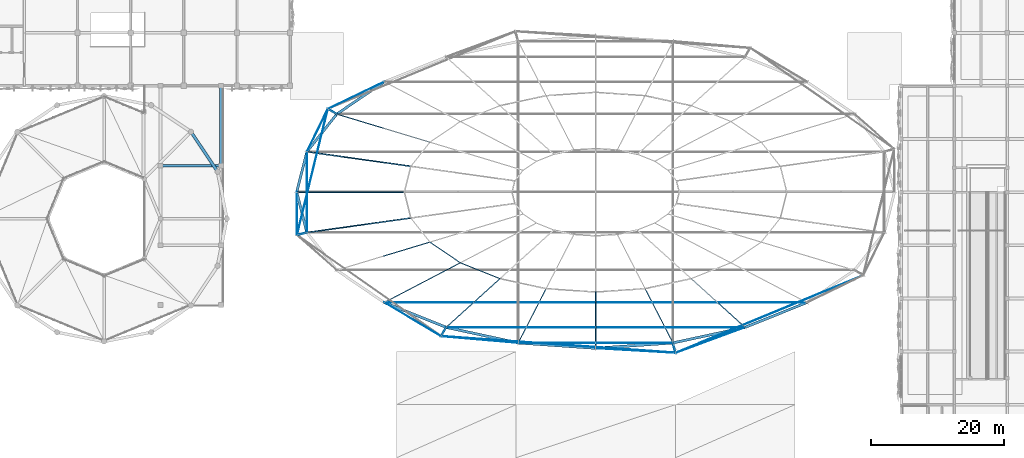
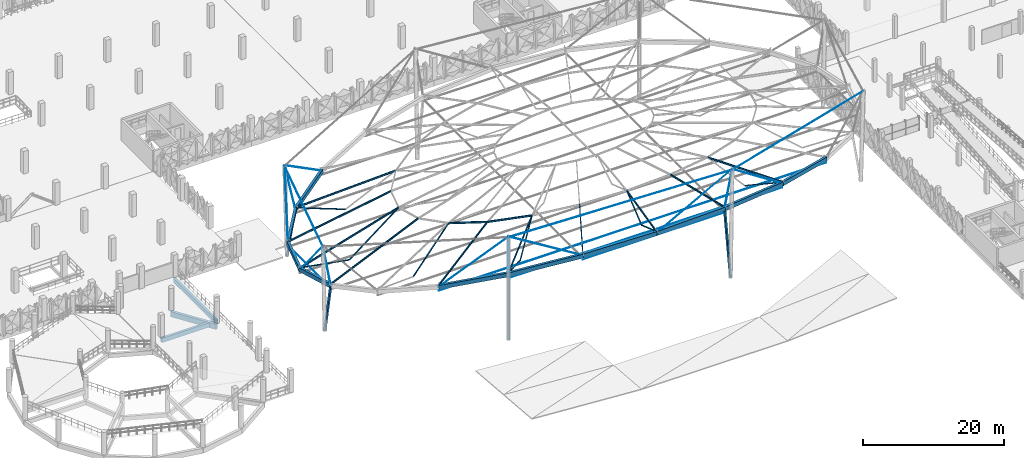
# One storey, part 11 of 96: 31 members, 25 beams.
"""IFC4 building model written with IfcOpenShell, lengths in metres."""

from ifc_helpers import new_model, si_unit, derived_unit, direction, frame, origin, origin_2d, place, context, subcontext, project, spatial, rectangle, hollow_rectangle, circle, i_section, extrude, material, material_profile, profile_set, type_object, element, save


model = new_model("IFC4")

# Units and contexts
model_context = context("Model", 3, precision=1e-05, world=origin(), true_north=direction((0.0, 1.0)))
body_context = subcontext(model_context, "Body", "Model", "MODEL_VIEW")
ifc_project = project(units=[si_unit("LENGTHUNIT", "METRE"), si_unit("AREAUNIT", "SQUARE_METRE"), si_unit("VOLUMEUNIT", "CUBIC_METRE"), si_unit("PLANEANGLEUNIT", "RADIAN"), si_unit("MASSUNIT", "GRAM", prefix="KILO"), si_unit("THERMODYNAMICTEMPERATUREUNIT", "KELVIN"), derived_unit("THERMALTRANSMITTANCEUNIT", [(si_unit("POWERUNIT", "WATT"), 1), (si_unit("AREAUNIT", "SQUARE_METRE"), -1), (si_unit("THERMODYNAMICTEMPERATUREUNIT", "KELVIN"), -1)])], contexts=[model_context])

# Site, building, storey
site_placement = place(None, origin())
site = spatial("IfcSite", under=ifc_project, at=site_placement, CompositionType="ELEMENT")
building_placement = place(site_placement, origin())
building = spatial("IfcBuilding", under=site, at=building_placement, Name="Haiyu Intermodal Mobility Hub", CompositionType="ELEMENT")
storey_placement = place(building_placement, frame((0.0, 0.0, 9.5)))
storey = spatial("IfcBuildingStorey", under=building, at=storey_placement, Name="L02", CompositionType="ELEMENT", Elevation=9.5)

# Beams
ifc_material_1 = material(Name="Concrete C40", Category="concrete")
ifc_material_profile_1 = material_profile(ifc_material_1, rectangle(XDim=0.39990234375, YDim=0.75, at=origin_2d()), Name="RCB400x750")
ifc_profile_set_1 = profile_set([ifc_material_profile_1], Name="Concrete C40")
beam_type_1 = type_object("IfcBeamType", Name="BM-CB03", PredefinedType="BEAM", material=ifc_profile_set_1)
beam_1_placement = place(storey_placement, frame((42.5, 68.0, -0.655029296875), z_axis=(1.0, 0.0, 0.0), x_axis=(0.0, 1.0, 0.0)))
element("IfcBeam", 1, at=beam_1_placement, inside=storey, type_object=beam_type_1, Name="BM-RMPL-L02-034", PredefinedType="BEAM", context=body_context, shape_type="SweptSolid", body=[
    extrude(rectangle(XDim=0.39990234375, YDim=0.75, at=origin_2d()), origin(), (0.0, 0.0, 1.0), 9.10009765625),
])
beam_2_placement = place(storey_placement, frame((51.60009765625, 68.0, -0.655029296875), z_axis=(0.0, 1.0, 0.0), x_axis=(-1.0, 0.0, 0.0)))
element("IfcBeam", 2, at=beam_2_placement, inside=storey, type_object=beam_type_1, Name="BM-RMPLE-L02-038", PredefinedType="BEAM", context=body_context, shape_type="SweptSolid", body=[
    extrude(rectangle(XDim=0.39990234375, YDim=0.75, at=origin_2d()), origin(), (0.0, 0.0, 1.0), 12.0),
])
ifc_material_profile_2 = material_profile(ifc_material_1, rectangle(XDim=0.449951171875, YDim=0.89990234375, at=origin_2d()), Name="RCB450x900")
ifc_profile_set_2 = profile_set([ifc_material_profile_2], Name="Concrete C40")
beam_type_2 = type_object("IfcBeamType", Name="BM-CB10", PredefinedType="BEAM", material=ifc_profile_set_2)
beam_3_placement = place(storey_placement, frame((51.092041015625, 67.080078125, -0.72998046875), z_axis=(-0.555691099877, 0.831388838942, 0.0), x_axis=(-0.831388838942, -0.555691099877, 0.0)))
element("IfcBeam", 3, at=beam_3_placement, inside=storey, type_object=beam_type_2, Name="BM-RMP-O-L02-002", PredefinedType="BEAM", context=body_context, shape_type="SweptSolid", body=[
    extrude(rectangle(XDim=0.449951171875, YDim=0.89990234375, at=origin_2d()), origin(), (0.0, 0.0, 1.0), 7.218017578125),
])
ifc_material_2 = material(Name="Steel Q355C", Category="steel")
ifc_material_profile_3 = material_profile(ifc_material_2, hollow_rectangle(XDim=0.39990234375, YDim=0.699951171875, WallThickness=0.02197265625, at=origin_2d()), Name="RHS700x400x22")
ifc_profile_set_3 = profile_set([ifc_material_profile_3], Name="Steel Q355C")
beam_type_3 = type_object("IfcBeamType", Name="BM-SB01", PredefinedType="BEAM", material=ifc_profile_set_3)
beam_4_placement = place(storey_placement, frame((76.179931640625, 80.616943359375, 9.300048828125), z_axis=(-0.818851357325, -0.557316552006, -0.137407115782), x_axis=(0.562653513917, -0.826692822805, 0.0)))
element("IfcBeam", 4, at=beam_4_placement, inside=storey, type_object=beam_type_3, Name="Compression Ring Chord RB-10", PredefinedType="BEAM", context=body_context, shape_type="SweptSolid", body=[
    extrude(hollow_rectangle(XDim=0.39990234375, YDim=0.699951171875, WallThickness=0.02197265625, at=origin_2d()), origin(), (0.0, 0.0, 1.0), 8.73291015625),
])
beam_5_placement = place(storey_placement, frame((69.029052734375, 75.75, 8.10009765625), z_axis=(-0.616934937857, -0.777734661017, -0.120499292543), x_axis=(0.783443288642, -0.621463284098, 0.0)))
element("IfcBeam", 5, at=beam_5_placement, inside=storey, type_object=beam_type_3, Name="Compression Ring Chord RB-11", PredefinedType="BEAM", context=body_context, shape_type="SweptSolid", body=[
    extrude(hollow_rectangle(XDim=0.39990234375, YDim=0.699951171875, WallThickness=0.02197265625, at=origin_2d()), origin(), (0.0, 0.0, 1.0), 7.287841796875),
])
for number, where, z_axis, x_axis, name in (
    (6, (64.532958984375, 70.08203125, 7.221923828125), (-0.244082052934, -0.968398168927, -0.051273168947), (0.969673613579, -0.244403525195, 0.0), "Compression Ring Chord RB-12"),
    (7, (63.0, 64.0, 6.89990234375), (0.244082052934, -0.968398168927, 0.051273168947), (0.969673613579, 0.244403525195, 0.0), "Compression Ring Chord RB-13"),
):
    element("IfcBeam", number, at=place(storey_placement, frame(where, z_axis=z_axis, x_axis=x_axis)), inside=storey, type_object=beam_type_3, Name=name, PredefinedType="BEAM", context=body_context, shape_type="SweptSolid", body=[
        extrude(hollow_rectangle(XDim=0.39990234375, YDim=0.699951171875, WallThickness=0.02197265625, at=origin_2d()), origin(), (0.0, 0.0, 1.0), 6.280517578125),
    ])
beam_6_placement = place(storey_placement, frame((76.179931640625, 47.383056640625, 9.300048828125), z_axis=(0.921674779261, -0.369370070672, 0.118664873348), x_axis=(0.371998477137, 0.928233339742, 0.0)))
element("IfcBeam", 8, at=beam_6_placement, inside=storey, type_object=beam_type_3, Name="Compression Ring Chord RB-16", PredefinedType="BEAM", context=body_context, shape_type="SweptSolid", body=[
    extrude(hollow_rectangle(XDim=0.39990234375, YDim=0.699951171875, WallThickness=0.02197265625, at=origin_2d()), origin(), (0.0, 0.0, 1.0), 10.112060546875),
])
beam_7_placement = place(storey_placement, frame((85.5, 43.64794921875, 10.5), z_axis=(0.974367369178, -0.210703053042, 0.07881911773), x_axis=(0.211360609854, 0.977408150468, 0.0)))
element("IfcBeam", 9, at=beam_7_placement, inside=storey, type_object=beam_type_3, Name="Compression Ring Chord RB-17", PredefinedType="BEAM", context=body_context, shape_type="SweptSolid", body=[
    extrude(hollow_rectangle(XDim=0.39990234375, YDim=0.699951171875, WallThickness=0.02197265625, at=origin_2d()), origin(), (0.0, 0.0, 1.0), 11.138427734375),
])
for number, where, z_axis, x_axis, name in (
    (10, (96.35302734375, 41.301025390625, 11.3779296875), (0.997264020391, -0.068587247954, 0.027572868044), (0.068613335005, 0.997643328179, 0.0), "Compression Ring Chord RB-18"),
    (11, (108.0, 40.5, 11.699951171875), (0.997264020391, 0.068587247954, -0.027572868044), (-0.068613335005, 0.997643328179, 0.0), "Compression Ring Chord RB-19"),
):
    element("IfcBeam", number, at=place(storey_placement, frame(where, z_axis=z_axis, x_axis=x_axis)), inside=storey, type_object=beam_type_3, Name=name, PredefinedType="BEAM", context=body_context, shape_type="SweptSolid", body=[
        extrude(hollow_rectangle(XDim=0.39990234375, YDim=0.699951171875, WallThickness=0.02197265625, at=origin_2d()), origin(), (0.0, 0.0, 1.0), 11.678955078125),
    ])
beam_8_placement = place(storey_placement, frame((119.64697265625, 41.301025390625, 11.3779296875), z_axis=(0.974367369178, 0.210703053042, -0.07881911773), x_axis=(-0.211360609854, 0.977408150468, 0.0)))
element("IfcBeam", 12, at=beam_8_placement, inside=storey, type_object=beam_type_3, Name="Compression Ring Chord RB-20", PredefinedType="BEAM", context=body_context, shape_type="SweptSolid", body=[
    extrude(hollow_rectangle(XDim=0.39990234375, YDim=0.699951171875, WallThickness=0.02197265625, at=origin_2d()), origin(), (0.0, 0.0, 1.0), 11.138427734375),
])
beam_9_placement = place(storey_placement, frame((130.5, 43.64794921875, 10.5), z_axis=(0.921674779261, 0.369370070672, -0.118664873348), x_axis=(-0.371998477137, 0.928233339742, 0.0)))
element("IfcBeam", 13, at=beam_9_placement, inside=storey, type_object=beam_type_3, Name="Compression Ring Chord RB-21", PredefinedType="BEAM", context=body_context, shape_type="SweptSolid", body=[
    extrude(hollow_rectangle(XDim=0.39990234375, YDim=0.699951171875, WallThickness=0.02197265625, at=origin_2d()), origin(), (0.0, 0.0, 1.0), 10.112060546875),
])
ifc_material_profile_4 = material_profile(ifc_material_2, i_section(OverallWidth=0.14990234375, OverallDepth=0.300048828125, WebThickness=0.006591796875, FlangeThickness=0.009033203125, FilletRadius=0.012939453125, at=origin_2d()), Name="HN300x150x6.5x9")
ifc_profile_set_4 = profile_set([ifc_material_profile_4], Name="Steel Q355C")
beam_type_4 = type_object("IfcBeamType", Name="BM-SB10-INT", PredefinedType="JOIST", material=ifc_profile_set_4)
beam_10_placement = place(storey_placement, frame((83.05810546875, 56.47998046875, 12.43798828125), z_axis=(0.823455633588, -0.560434759105, 0.088508193401), x_axis=(0.562642879895, 0.826700060302, 0.0)))
element("IfcBeam", 14, at=beam_10_placement, inside=storey, type_object=beam_type_4, Name="BM-SADHP-039", PredefinedType="JOIST", context=body_context, shape_type="SweptSolid", body=[
    extrude(i_section(OverallWidth=0.14990234375, OverallDepth=0.300048828125, WebThickness=0.006591796875, FlangeThickness=0.009033203125, FilletRadius=0.012939453125, at=origin_2d()), origin(), (0.0, 0.0, 1.0), 5.55810546875),
])
beam_11_placement = place(storey_placement, frame((87.635009765625, 53.364990234375, 12.929931640625), z_axis=(0.925572021467, -0.370827344908, 0.07618079381), x_axis=(0.371908102054, 0.928269553323, 0.0)))
element("IfcBeam", 15, at=beam_11_placement, inside=storey, type_object=beam_type_4, Name="BM-SADHP-040", PredefinedType="JOIST", context=body_context, shape_type="SweptSolid", body=[
    extrude(i_section(OverallWidth=0.14990234375, OverallDepth=0.300048828125, WebThickness=0.006591796875, FlangeThickness=0.009033203125, FilletRadius=0.012939453125, at=origin_2d()), origin(), (0.0, 0.0, 1.0), 6.44482421875),
])
beam_12_placement = place(storey_placement, frame((69.029052734375, 75.75, 8.337890625), z_axis=(0.921963147491, -0.277986417233, 0.269643294933), x_axis=(0.28867900796, 0.957425939884, 0.0)))
element("IfcBeam", 16, at=beam_12_placement, inside=storey, type_object=beam_type_4, Name="BM-SADRAD-069", PredefinedType="JOIST", context=body_context, shape_type="SweptSolid", body=[
    extrude(i_section(OverallWidth=0.14990234375, OverallDepth=0.300048828125, WebThickness=0.006591796875, FlangeThickness=0.009033203125, FilletRadius=0.012939453125, at=origin_2d()), origin(), (0.0, 0.0, 1.0), 15.216552734375),
])
beam_13_placement = place(storey_placement, frame((64.532958984375, 70.08203125, 7.458984375), z_axis=(0.950521693383, -0.132966853416, 0.280763826554), x_axis=(0.13853933675, 0.990356931703, 0.0)))
element("IfcBeam", 17, at=beam_13_placement, inside=storey, type_object=beam_type_4, Name="BM-SADRAD-071", PredefinedType="JOIST", context=body_context, shape_type="SweptSolid", body=[
    extrude(i_section(OverallWidth=0.14990234375, OverallDepth=0.300048828125, WebThickness=0.006591796875, FlangeThickness=0.009033203125, FilletRadius=0.012939453125, at=origin_2d()), origin(), (0.0, 0.0, 1.0), 16.46240234375),
])
beam_14_placement = place(storey_placement, frame((63.0, 64.0, 7.137939453125), z_axis=(0.958604053701, 0.0, 0.284742459475), x_axis=(0.0, 1.0, 0.0)))
element("IfcBeam", 18, at=beam_14_placement, inside=storey, type_object=beam_type_4, Name="BM-SADRAD-073", PredefinedType="JOIST", context=body_context, shape_type="SweptSolid", body=[
    extrude(i_section(OverallWidth=0.14990234375, OverallDepth=0.300048828125, WebThickness=0.006591796875, FlangeThickness=0.009033203125, FilletRadius=0.012939453125, at=origin_2d()), origin(), (0.0, 0.0, 1.0), 16.8994140625),
])
beam_15_placement = place(storey_placement, frame((64.532958984375, 57.91796875, 7.458984375), z_axis=(0.950521693383, 0.132966853416, 0.280763826554), x_axis=(-0.13853933675, 0.990356931703, 0.0)))
element("IfcBeam", 19, at=beam_15_placement, inside=storey, type_object=beam_type_4, Name="BM-SADRAD-075", PredefinedType="JOIST", context=body_context, shape_type="SweptSolid", body=[
    extrude(i_section(OverallWidth=0.14990234375, OverallDepth=0.300048828125, WebThickness=0.006591796875, FlangeThickness=0.009033203125, FilletRadius=0.012939453125, at=origin_2d()), origin(), (0.0, 0.0, 1.0), 16.46240234375),
])
beam_16_placement = place(storey_placement, frame((76.179931640625, 47.383056640625, 9.5380859375), z_axis=(0.857322605249, 0.447700734736, 0.254090540251), x_axis=(-0.462892669967, 0.886414336578, 0.0)))
element("IfcBeam", 20, at=beam_16_placement, inside=storey, type_object=beam_type_4, Name="BM-SADRAD-079", PredefinedType="JOIST", context=body_context, shape_type="SweptSolid", body=[
    extrude(i_section(OverallWidth=0.14990234375, OverallDepth=0.300048828125, WebThickness=0.006591796875, FlangeThickness=0.009033203125, FilletRadius=0.012939453125, at=origin_2d()), origin(), (0.0, 0.0, 1.0), 13.361572265625),
])
beam_17_placement = place(storey_placement, frame((85.5, 43.64794921875, 10.738037109375), z_axis=(0.720148182676, 0.651428273509, 0.238804940195), x_axis=(-0.67083723343, 0.741604615846, 0.0)))
element("IfcBeam", 21, at=beam_17_placement, inside=storey, type_object=beam_type_4, Name="BM-SADRAD-081", PredefinedType="JOIST", context=body_context, shape_type="SweptSolid", body=[
    extrude(i_section(OverallWidth=0.14990234375, OverallDepth=0.300048828125, WebThickness=0.006591796875, FlangeThickness=0.009033203125, FilletRadius=0.012939453125, at=origin_2d()), origin(), (0.0, 0.0, 1.0), 11.247802734375),
])
beam_18_placement = place(storey_placement, frame((96.35302734375, 41.301025390625, 11.616943359375), z_axis=(0.44434459281, 0.865920858983, 0.229649621858), x_axis=(-0.889699529846, 0.45654654373, 0.0)))
element("IfcBeam", 22, at=beam_18_placement, inside=storey, type_object=beam_type_4, Name="BM-SADRAD-083", PredefinedType="JOIST", context=body_context, shape_type="SweptSolid", body=[
    extrude(i_section(OverallWidth=0.14990234375, OverallDepth=0.300048828125, WebThickness=0.006591796875, FlangeThickness=0.009033203125, FilletRadius=0.012939453125, at=origin_2d()), origin(), (0.0, 0.0, 1.0), 9.43603515625),
])
beam_19_placement = place(storey_placement, frame((108.0, 40.5, 11.93798828125), z_axis=(0.0, 0.973738301939, 0.227670198612), x_axis=(-1.0, 0.0, 0.0)))
element("IfcBeam", 23, at=beam_19_placement, inside=storey, type_object=beam_type_4, Name="BM-SADRAD-085", PredefinedType="JOIST", context=body_context, shape_type="SweptSolid", body=[
    extrude(i_section(OverallWidth=0.14990234375, OverallDepth=0.300048828125, WebThickness=0.006591796875, FlangeThickness=0.009033203125, FilletRadius=0.012939453125, at=origin_2d()), origin(), (0.0, 0.0, 1.0), 8.688232421875),
])
beam_20_placement = place(storey_placement, frame((119.64697265625, 41.301025390625, 11.616943359375), z_axis=(-0.44434459281, 0.865920858983, 0.229649621858), x_axis=(-0.889699529846, -0.45654654373, 0.0)))
element("IfcBeam", 24, at=beam_20_placement, inside=storey, type_object=beam_type_4, Name="BM-SADRAD-087", PredefinedType="JOIST", context=body_context, shape_type="SweptSolid", body=[
    extrude(i_section(OverallWidth=0.14990234375, OverallDepth=0.300048828125, WebThickness=0.006591796875, FlangeThickness=0.009033203125, FilletRadius=0.012939453125, at=origin_2d()), origin(), (0.0, 0.0, 1.0), 9.43603515625),
])
beam_21_placement = place(storey_placement, frame((130.5, 43.64794921875, 10.738037109375), z_axis=(-0.720148182676, 0.651428273509, 0.238804940195), x_axis=(-0.67083723343, -0.741604615846, 0.0)))
element("IfcBeam", 25, at=beam_21_placement, inside=storey, type_object=beam_type_4, Name="BM-SADRAD-089", PredefinedType="JOIST", context=body_context, shape_type="SweptSolid", body=[
    extrude(i_section(OverallWidth=0.14990234375, OverallDepth=0.300048828125, WebThickness=0.006591796875, FlangeThickness=0.009033203125, FilletRadius=0.012939453125, at=origin_2d()), origin(), (0.0, 0.0, 1.0), 11.247802734375),
])

# Members
ifc_material_profile_5 = material_profile(ifc_material_2, hollow_rectangle(XDim=0.300048828125, YDim=0.300048828125, WallThickness=0.011962890625, at=origin_2d()), Name="SHS300x300x12")
ifc_profile_set_5 = profile_set([ifc_material_profile_5], Name="Steel Q355C")
member_type_1 = type_object("IfcMemberType", Name="MEM-BR04", PredefinedType="BRACE", material=ifc_profile_set_5)
member_1_placement = place(storey_placement, frame((67.989990234375, 76.35009765625, 0.0), z_axis=(0.126893070918, -0.073285518872, 0.98920542926), x_axis=(0.50012165622, 0.865955154139, 0.0)))
element("IfcMember", 26, at=member_1_placement, inside=storey, type_object=member_type_1, Name="Mast Ring Strut MS-04", PredefinedType="BRACE", context=body_context, shape_type="SweptSolid", body=[
    extrude(hollow_rectangle(XDim=0.300048828125, YDim=0.300048828125, WallThickness=0.011962890625, at=origin_2d()), origin(), (0.0, 0.0, 1.0), 8.1884765625),
])
member_2_placement = place(storey_placement, frame((63.3740234375, 57.60693359375, 0.0), z_axis=(0.158304353516, 0.042485727065, 0.986475896641), x_axis=(-0.259207261783, 0.965821720318, 0.0)))
element("IfcMember", 27, at=member_2_placement, inside=storey, type_object=member_type_1, Name="Mast Ring Strut MS-05", PredefinedType="BRACE", context=body_context, shape_type="SweptSolid", body=[
    extrude(hollow_rectangle(XDim=0.300048828125, YDim=0.300048828125, WallThickness=0.011962890625, at=origin_2d()), origin(), (0.0, 0.0, 1.0), 7.321044921875),
])
member_3_placement = place(storey_placement, frame((84.89990234375, 42.60888671875, 0.0), z_axis=(0.05678259498, 0.098318439477, 0.993533704192), x_axis=(-0.865955154139, 0.50012165622, 0.0)))
element("IfcMember", 28, at=member_3_placement, inside=storey, type_object=member_type_1, Name="Mast Ring Strut MS-06", PredefinedType="BRACE", context=body_context, shape_type="SweptSolid", body=[
    extrude(hollow_rectangle(XDim=0.300048828125, YDim=0.300048828125, WallThickness=0.011962890625, at=origin_2d()), origin(), (0.0, 0.0, 1.0), 10.568359375),
])
member_4_placement = place(storey_placement, frame((119.95703125, 40.14208984375, 0.0), z_axis=(-0.027100647651, 0.101296672754, 0.994487073313), x_axis=(-0.966025207369, -0.258447864622, 0.0)))
element("IfcMember", 29, at=member_4_placement, inside=storey, type_object=member_type_1, Name="Mast Ring Strut MS-07", PredefinedType="BRACE", context=body_context, shape_type="SweptSolid", body=[
    extrude(hollow_rectangle(XDim=0.300048828125, YDim=0.300048828125, WallThickness=0.011962890625, at=origin_2d()), origin(), (0.0, 0.0, 1.0), 11.44091796875),
])
ifc_material_profile_6 = material_profile(ifc_material_2, hollow_rectangle(XDim=0.159912109375, YDim=0.159912109375, WallThickness=0.006103515625, at=origin_2d()), Name="SHS160x160x6")
ifc_profile_set_6 = profile_set([ifc_material_profile_6], Name="Steel Q355C")
member_type_2 = type_object("IfcMemberType", Name="MEM-CH03", PredefinedType="CHORD", material=ifc_profile_set_6)
member_5_placement = place(storey_placement, frame((69.029052734375, 75.75, 8.337890625), z_axis=(0.93921536077, -0.283173447616, -0.194132183469), x_axis=(0.288665193348, 0.957430105099, 0.0)))
element("IfcMember", 30, at=member_5_placement, inside=storey, type_object=member_type_2, Name="MEM-SADD1-069", PredefinedType="CHORD", context=body_context, shape_type="SweptSolid", body=[
    extrude(hollow_rectangle(XDim=0.159912109375, YDim=0.159912109375, WallThickness=0.006103515625, at=origin_2d()), origin(), (0.0, 0.0, 1.0), 7.468994140625),
])
member_6_placement = place(storey_placement, frame((63.0, 64.0, 7.137939453125), z_axis=(0.984353775203, 0.0, -0.176203420065), x_axis=(0.0, 1.0, 0.0)))
element("IfcMember", 31, at=member_6_placement, inside=storey, type_object=member_type_2, Name="MEM-SADD1-073", PredefinedType="CHORD", context=body_context, shape_type="SweptSolid", body=[
    extrude(hollow_rectangle(XDim=0.159912109375, YDim=0.159912109375, WallThickness=0.006103515625, at=origin_2d()), origin(), (0.0, 0.0, 1.0), 8.228759765625),
])
member_7_placement = place(storey_placement, frame((71.10009765625, 64.0, 5.68798828125), z_axis=(0.791143908572, 0.0, 0.611630048255), x_axis=(0.0, 1.0, 0.0)))
element("IfcMember", 32, at=member_7_placement, inside=storey, type_object=member_type_2, Name="MEM-SADD2-073", PredefinedType="CHORD", context=body_context, shape_type="SweptSolid", body=[
    extrude(hollow_rectangle(XDim=0.159912109375, YDim=0.159912109375, WallThickness=0.006103515625, at=origin_2d()), origin(), (0.0, 0.0, 1.0), 10.238037109375),
])
member_8_placement = place(storey_placement, frame((76.0439453125, 54.364990234375, 6.887939453125), z_axis=(0.763007540814, 0.230070808426, 0.604058702256), x_axis=(-0.288692823835, 0.957421774071, 0.0)))
element("IfcMember", 33, at=member_8_placement, inside=storey, type_object=member_type_2, Name="MEM-SADD2-077", PredefinedType="CHORD", context=body_context, shape_type="SweptSolid", body=[
    extrude(hollow_rectangle(XDim=0.159912109375, YDim=0.159912109375, WallThickness=0.006103515625, at=origin_2d()), origin(), (0.0, 0.0, 1.0), 9.19287109375),
])
member_9_placement = place(storey_placement, frame((85.5, 43.64794921875, 10.738037109375), z_axis=(0.716731786771, 0.648424296574, -0.256595941988), x_axis=(-0.670886402047, 0.741560136165, 0.0)))
element("IfcMember", 34, at=member_9_placement, inside=storey, type_object=member_type_2, Name="MEM-SADD1-081", PredefinedType="CHORD", context=body_context, shape_type="SweptSolid", body=[
    extrude(hollow_rectangle(XDim=0.159912109375, YDim=0.159912109375, WallThickness=0.006103515625, at=origin_2d()), origin(), (0.0, 0.0, 1.0), 5.650634765625),
])
member_10_placement = place(storey_placement, frame((89.550048828125, 47.31201171875, 9.2880859375), z_axis=(0.591216650187, 0.534728712967, 0.60376160533), x_axis=(-0.670788055966, 0.741649097602, 0.0)))
element("IfcMember", 35, at=member_10_placement, inside=storey, type_object=member_type_2, Name="MEM-SADD2-081", PredefinedType="CHORD", context=body_context, shape_type="SweptSolid", body=[
    extrude(hollow_rectangle(XDim=0.159912109375, YDim=0.159912109375, WallThickness=0.006103515625, at=origin_2d()), origin(), (0.0, 0.0, 1.0), 6.850341796875),
])
member_11_placement = place(storey_placement, frame((108.0, 40.5, 11.93798828125), z_axis=(0.0, 0.945968437013, -0.324258717963), x_axis=(-1.0, 0.0, 0.0)))
element("IfcMember", 36, at=member_11_placement, inside=storey, type_object=member_type_2, Name="MEM-SADD1-085", PredefinedType="CHORD", context=body_context, shape_type="SweptSolid", body=[
    extrude(hollow_rectangle(XDim=0.159912109375, YDim=0.159912109375, WallThickness=0.006103515625, at=origin_2d()), origin(), (0.0, 0.0, 1.0), 4.4716796875),
])
member_12_placement = place(storey_placement, frame((108.0, 44.72998046875, 10.488037109375), z_axis=(0.0, 0.776911649942, 0.629609631585), x_axis=(-1.0, 0.0, 0.0)))
element("IfcMember", 37, at=member_12_placement, inside=storey, type_object=member_type_2, Name="MEM-SADD2-085", PredefinedType="CHORD", context=body_context, shape_type="SweptSolid", body=[
    extrude(hollow_rectangle(XDim=0.159912109375, YDim=0.159912109375, WallThickness=0.006103515625, at=origin_2d()), origin(), (0.0, 0.0, 1.0), 5.444580078125),
])
member_13_placement = place(storey_placement, frame((130.5, 43.64794921875, 10.738037109375), z_axis=(-0.716731786771, 0.648424296574, -0.256595941988), x_axis=(-0.670886402047, -0.741560136165, 0.0)))
element("IfcMember", 38, at=member_13_placement, inside=storey, type_object=member_type_2, Name="MEM-SADD1-089", PredefinedType="CHORD", context=body_context, shape_type="SweptSolid", body=[
    extrude(hollow_rectangle(XDim=0.159912109375, YDim=0.159912109375, WallThickness=0.006103515625, at=origin_2d()), origin(), (0.0, 0.0, 1.0), 5.650634765625),
])
ifc_material_3 = material(Name="Galvanized steel cable 1670 MPa", Category="steel")
ifc_material_profile_7 = material_profile(ifc_material_3, circle(Radius=0.047607421875, at=origin_2d()), Name="CABLE95")
ifc_profile_set_7 = profile_set([ifc_material_profile_7], Name="Galvanized steel cable 1670 MPa")
member_type_3 = type_object("IfcMemberType", Name="MEM-TC01", PredefinedType="USERDEFINED", material=ifc_profile_set_7)
member_14_placement = place(storey_placement, frame((64.532958984375, 57.91796875, 6.741943359375), z_axis=(0.0, 1.0, 0.0), x_axis=(-1.0, 0.0, 0.0)))
element("IfcMember", 39, at=member_14_placement, inside=storey, type_object=member_type_3, Name="Cable-Net Tendon CB-NS-004", ObjectType="TENSION CABLE", PredefinedType="USERDEFINED", context=body_context, shape_type="SweptSolid", body=[
    extrude(circle(Radius=0.047607421875, at=origin_2d()), origin(), (0.0, 0.0, 1.0), 12.1640625),
])
ifc_material_profile_8 = material_profile(ifc_material_3, circle(Radius=0.0400390625, at=origin_2d()), Name="CABLE80")
ifc_profile_set_8 = profile_set([ifc_material_profile_8], Name="Galvanized steel cable 1670 MPa")
member_type_4 = type_object("IfcMemberType", Name="MEM-TC02", PredefinedType="USERDEFINED", material=ifc_profile_set_8)
member_15_placement = place(storey_placement, frame((76.179931640625, 47.383056640625, 8.6201171875), z_axis=(1.0, 0.0, 0.0), x_axis=(0.0, 1.0, 0.0)))
element("IfcMember", 40, at=member_15_placement, inside=storey, type_object=member_type_4, Name="Cable-Net Tendon CB-EW-012", ObjectType="TENSION CABLE", PredefinedType="USERDEFINED", context=body_context, shape_type="SweptSolid", body=[
    extrude(circle(Radius=0.0400390625, at=origin_2d()), origin(), (0.0, 0.0, 1.0), 63.64013671875),
])
member_16_placement = place(storey_placement, frame((85.5, 43.64794921875, 9.820068359375), z_axis=(1.0, 0.0, 0.0), x_axis=(0.0, 1.0, 0.0)))
element("IfcMember", 41, at=member_16_placement, inside=storey, type_object=member_type_4, Name="Cable-Net Tendon CB-EW-013", ObjectType="TENSION CABLE", PredefinedType="USERDEFINED", context=body_context, shape_type="SweptSolid", body=[
    extrude(circle(Radius=0.0400390625, at=origin_2d()), origin(), (0.0, 0.0, 1.0), 45.0),
])
member_17_placement = place(storey_placement, frame((96.35302734375, 41.301025390625, 10.697998046875), z_axis=(1.0, 0.0, 0.0), x_axis=(0.0, 1.0, 0.0)))
element("IfcMember", 42, at=member_17_placement, inside=storey, type_object=member_type_4, Name="Cable-Net Tendon CB-EW-014", ObjectType="TENSION CABLE", PredefinedType="USERDEFINED", context=body_context, shape_type="SweptSolid", body=[
    extrude(circle(Radius=0.0400390625, at=origin_2d()), origin(), (0.0, 0.0, 1.0), 23.2939453125),
])
ifc_material_profile_9 = material_profile(ifc_material_3, circle(Radius=0.032470703125, at=origin_2d()), Name="CABLE65")
ifc_profile_set_9 = profile_set([ifc_material_profile_9], Name="Galvanized steel cable 1670 MPa")
member_type_5 = type_object("IfcMemberType", Name="MEM-TC03", PredefinedType="USERDEFINED", material=ifc_profile_set_9)
member_18_placement = place(storey_placement, frame((67.68701171875, 76.52490234375, 15.699951171875), z_axis=(0.74535657048, 0.359126152811, -0.561668932031), x_axis=(-0.43406165409, 0.900883166925, 0.0)))
element("IfcMember", 43, at=member_18_placement, inside=storey, type_object=member_type_5, Name="Cable-Net Tendon CB-ST-028", ObjectType="TENSION CABLE", PredefinedType="USERDEFINED", context=body_context, shape_type="SweptSolid", body=[
    extrude(circle(Radius=0.032470703125, at=origin_2d()), origin(), (0.0, 0.0, 1.0), 11.39453125),
])
member_19_placement = place(storey_placement, frame((67.68701171875, 76.52490234375, 15.699951171875), z_axis=(0.173027178281, -0.099906906288, -0.979836826034), x_axis=(0.500036104519, 0.866004557827, 0.0)))
element("IfcMember", 44, at=member_19_placement, inside=storey, type_object=member_type_5, Name="Cable-Net Tendon CB-ST-029", ObjectType="TENSION CABLE", PredefinedType="USERDEFINED", context=body_context, shape_type="SweptSolid", body=[
    extrude(circle(Radius=0.032470703125, at=origin_2d()), origin(), (0.0, 0.0, 1.0), 7.75634765625),
])
member_20_placement = place(storey_placement, frame((67.68701171875, 76.52490234375, 15.699951171875), z_axis=(-0.284004193413, -0.580143251349, -0.763397292396), x_axis=(0.898152958199, -0.43968314009, 0.0)))
element("IfcMember", 45, at=member_20_placement, inside=storey, type_object=member_type_5, Name="Cable-Net Tendon CB-ST-030", ObjectType="TENSION CABLE", PredefinedType="USERDEFINED", context=body_context, shape_type="SweptSolid", body=[
    extrude(circle(Radius=0.032470703125, at=origin_2d()), origin(), (0.0, 0.0, 1.0), 11.105712890625),
])
member_21_placement = place(storey_placement, frame((67.68701171875, 76.52490234375, 15.580078125), z_axis=(-0.237444067567, -0.970366139545, -0.044831573725), x_axis=(0.97134276686, -0.237683043715, 0.0)))
element("IfcMember", 46, at=member_21_placement, inside=storey, type_object=member_type_5, Name="Cable-Net Tendon CB-RG-031", ObjectType="TENSION CABLE", PredefinedType="USERDEFINED", context=body_context, shape_type="SweptSolid", body=[
    extrude(circle(Radius=0.032470703125, at=origin_2d()), origin(), (0.0, 0.0, 1.0), 19.58837890625),
])
member_22_placement = place(storey_placement, frame((63.035888671875, 57.51708984375, 14.822021484375), z_axis=(-0.003505893697, 0.633302729387, -0.773896221506), x_axis=(-0.999984677318, -0.005535804307, 0.0)))
element("IfcMember", 47, at=member_22_placement, inside=storey, type_object=member_type_5, Name="Cable-Net Tendon CB-ST-032", ObjectType="TENSION CABLE", PredefinedType="USERDEFINED", context=body_context, shape_type="SweptSolid", body=[
    extrude(circle(Radius=0.032470703125, at=origin_2d()), origin(), (0.0, 0.0, 1.0), 10.236572265625),
])
member_23_placement = place(storey_placement, frame((63.035888671875, 57.51708984375, 14.822021484375), z_axis=(0.193008299469, 0.05168291385, -0.979835023232), x_axis=(-0.258662592822, 0.965967733972, 0.0)))
element("IfcMember", 48, at=member_23_placement, inside=storey, type_object=member_type_5, Name="Cable-Net Tendon CB-ST-033", ObjectType="TENSION CABLE", PredefinedType="USERDEFINED", context=body_context, shape_type="SweptSolid", body=[
    extrude(circle(Radius=0.032470703125, at=origin_2d()), origin(), (0.0, 0.0, 1.0), 7.756591796875),
])
member_24_placement = place(storey_placement, frame((84.72509765625, 42.305908203125, 18.10009765625), z_axis=(-0.643680766324, 0.382445793448, -0.662880295482), x_axis=(-0.510795809936, -0.859702064992, 0.0)))
element("IfcMember", 49, at=member_24_placement, inside=storey, type_object=member_type_5, Name="Cable-Net Tendon CB-ST-036", ObjectType="TENSION CABLE", PredefinedType="USERDEFINED", context=body_context, shape_type="SweptSolid", body=[
    extrude(circle(Radius=0.032470703125, at=origin_2d()), origin(), (0.0, 0.0, 1.0), 13.275390625),
])
member_25_placement = place(storey_placement, frame((84.72509765625, 42.305908203125, 18.10009765625), z_axis=(0.099903825053, 0.17302184194, -0.979838082517), x_axis=(-0.866004557827, 0.500036104519, 0.0)))
element("IfcMember", 50, at=member_25_placement, inside=storey, type_object=member_type_5, Name="Cable-Net Tendon CB-ST-037", ObjectType="TENSION CABLE", PredefinedType="USERDEFINED", context=body_context, shape_type="SweptSolid", body=[
    extrude(circle(Radius=0.032470703125, at=origin_2d()), origin(), (0.0, 0.0, 1.0), 7.756591796875),
])
member_26_placement = place(storey_placement, frame((84.72509765625, 42.305908203125, 18.10009765625), z_axis=(0.863329293261, -0.074608704356, -0.499095254066), x_axis=(0.086098841978, 0.996286600035, 0.0)))
element("IfcMember", 51, at=member_26_placement, inside=storey, type_object=member_type_5, Name="Cable-Net Tendon CB-ST-038", ObjectType="TENSION CABLE", PredefinedType="USERDEFINED", context=body_context, shape_type="SweptSolid", body=[
    extrude(circle(Radius=0.032470703125, at=origin_2d()), origin(), (0.0, 0.0, 1.0), 13.46875),
])
member_27_placement = place(storey_placement, frame((84.72509765625, 42.305908203125, 17.97998046875), z_axis=(0.997194486721, -0.070631996157, 0.024784607551), x_axis=(0.070653699953, 0.997500904603, 0.0)))
element("IfcMember", 52, at=member_27_placement, inside=storey, type_object=member_type_5, Name="Cable-Net Tendon CB-RG-039", ObjectType="TENSION CABLE", PredefinedType="USERDEFINED", context=body_context, shape_type="SweptSolid", body=[
    extrude(circle(Radius=0.032470703125, at=origin_2d()), origin(), (0.0, 0.0, 1.0), 35.42236328125),
])
member_28_placement = place(storey_placement, frame((120.048095703125, 39.803955078125, 18.97802734375), z_axis=(-0.854901803611, 0.04938955282, -0.51643351775), x_axis=(-0.057676023634, -0.998335352623, 0.0)))
element("IfcMember", 53, at=member_28_placement, inside=storey, type_object=member_type_5, Name="Cable-Net Tendon CB-ST-040", ObjectType="TENSION CABLE", PredefinedType="USERDEFINED", context=body_context, shape_type="SweptSolid", body=[
    extrude(circle(Radius=0.032470703125, at=origin_2d()), origin(), (0.0, 0.0, 1.0), 14.093017578125),
])
member_29_placement = place(storey_placement, frame((120.048095703125, 39.803955078125, 18.97802734375), z_axis=(-0.051714305285, 0.193007985398, -0.979833428804), x_axis=(-0.965928364246, -0.258809573134, 0.0)))
element("IfcMember", 54, at=member_29_placement, inside=storey, type_object=member_type_5, Name="Cable-Net Tendon CB-ST-041", ObjectType="TENSION CABLE", PredefinedType="USERDEFINED", context=body_context, shape_type="SweptSolid", body=[
    extrude(circle(Radius=0.032470703125, at=origin_2d()), origin(), (0.0, 0.0, 1.0), 7.756591796875),
])
member_30_placement = place(storey_placement, frame((120.048095703125, 39.803955078125, 18.97802734375), z_axis=(0.746763612558, 0.274644205455, -0.605734816045), x_axis=(-0.345174984971, 0.938538347512, 0.0)))
element("IfcMember", 55, at=member_30_placement, inside=storey, type_object=member_type_5, Name="Cable-Net Tendon CB-ST-042", ObjectType="TENSION CABLE", PredefinedType="USERDEFINED", context=body_context, shape_type="SweptSolid", body=[
    extrude(circle(Radius=0.032470703125, at=origin_2d()), origin(), (0.0, 0.0, 1.0), 13.996337890625),
])
member_31_placement = place(storey_placement, frame((120.048095703125, 39.803955078125, 18.85791015625), z_axis=(0.919037035552, 0.379488874648, -0.106579178559), x_axis=(-0.381662742278, 0.924301655931, 0.0)))
element("IfcMember", 56, at=member_31_placement, inside=storey, type_object=member_type_5, Name="Cable-Net Tendon CB-RG-043", ObjectType="TENSION CABLE", PredefinedType="USERDEFINED", context=body_context, shape_type="SweptSolid", body=[
    extrude(circle(Radius=0.032470703125, at=origin_2d()), origin(), (0.0, 0.0, 1.0), 30.7548828125),
])

save(model, "model.ifc")
